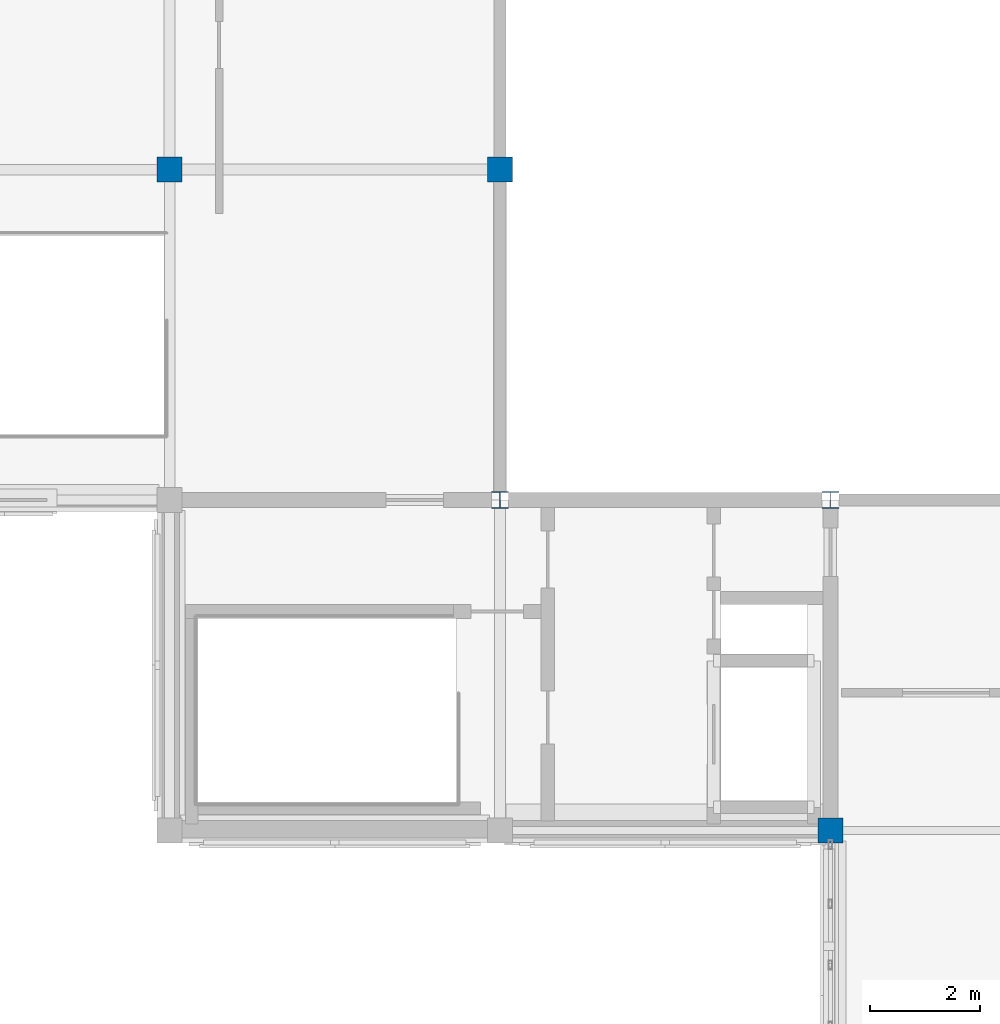
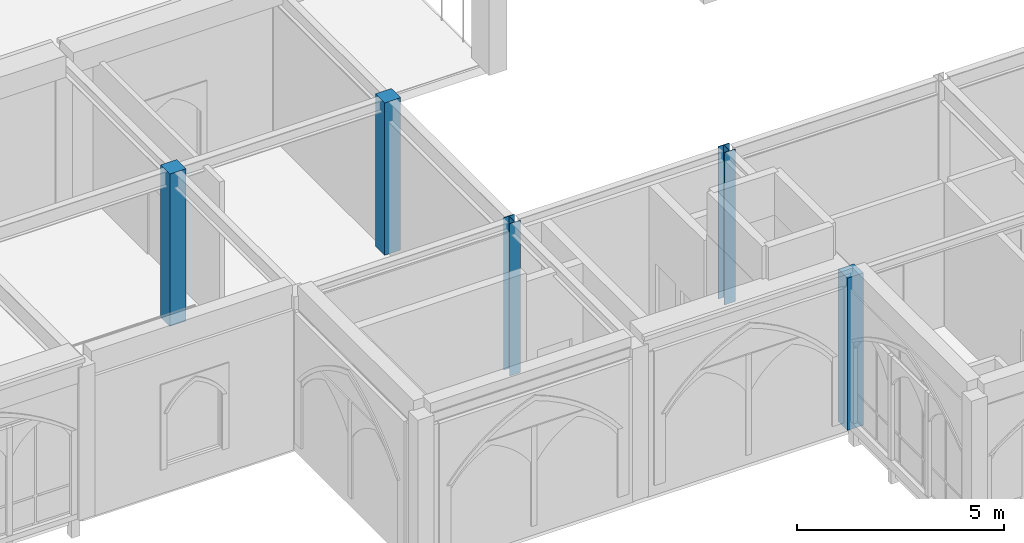
# One storey, part 2 of 59: 5 columns.
"""IFC4 building model written with IfcOpenShell, lengths in metres."""

from ifc_helpers import new_model, si_unit, direction, frame, origin, origin_2d, place, context, subcontext, project, spatial, rectangle, i_section, extrude, material, material_profile, profile_set, type_object, element, save


model = new_model("IFC4")

# Units and contexts
model_context = context("Model", 3, precision=1e-05, world=origin(), true_north=direction((0.0, 1.0)))
body_context = subcontext(model_context, "Body", "Model", "MODEL_VIEW")
ifc_project = project(units=[si_unit("LENGTHUNIT", "METRE"), si_unit("AREAUNIT", "SQUARE_METRE"), si_unit("VOLUMEUNIT", "CUBIC_METRE"), si_unit("PLANEANGLEUNIT", "RADIAN"), si_unit("MASSUNIT", "GRAM", prefix="KILO")], contexts=[model_context])

# Site, building, storey
site_placement = place(None, origin())
site = spatial("IfcSite", under=ifc_project, at=site_placement, CompositionType="ELEMENT")
building_placement = place(site_placement, origin())
building = spatial("IfcBuilding", under=site, at=building_placement, Name="Cumevento Cable Car Station", CompositionType="ELEMENT")
storey_placement = place(building_placement, frame((0.0, 0.0, 18.0)))
storey = spatial("IfcBuildingStorey", under=building, at=storey_placement, Name="L05", CompositionType="ELEMENT", Elevation=18.0)

# Columns
ifc_material_1 = material(Name="Concrete C40/50", Category="concrete")
ifc_material_profile_1 = material_profile(ifc_material_1, rectangle(XDim=0.449951171875, YDim=0.449951171875, at=origin_2d()), Name="RC450x450")
ifc_profile_set_1 = profile_set([ifc_material_profile_1], Name="Concrete C40/50")
column_type_1 = type_object("IfcColumnType", Name="Column C-RC450 RC450x450", PredefinedType="COLUMN", material=ifc_profile_set_1)
for number, where, z_axis, x_axis, name in (
    (1, (58.0, 51.0, 0.0), (0.0, 0.0, 1.0), (1.0, 0.0, 0.0), "Column C-RC450 L05 (58.0,51.0)"),
    (2, (64.0, 51.0, 0.0), (0.0, 0.0, 1.0), (1.0, 0.0, 0.0), "Column C-RC450 L05 (64.0,51.0)"),
    (3, (70.0, 39.0, 0.0), (0.0, 0.0, 1.0), (1.0, 0.0, 0.0), "Column C-RC450 L05 (70.0,39.0)"),
):
    element("IfcColumn", number, at=place(storey_placement, frame(where, z_axis=z_axis, x_axis=x_axis)), inside=storey, type_object=column_type_1, Name=name, PredefinedType="COLUMN", context=body_context, shape_type="SweptSolid", body=[
        extrude(rectangle(XDim=0.449951171875, YDim=0.449951171875, at=origin_2d()), origin(), (0.0, 0.0, 1.0), 4.5),
    ])
ifc_material_2 = material(Name="Steel ASTM A572 Grade 50", Category="steel")
ifc_material_profile_2 = material_profile(ifc_material_2, i_section(OverallWidth=0.304931640625, OverallDepth=0.30810546875, WebThickness=0.010009765625, FlangeThickness=0.015380859375, at=origin_2d()), Name="W310x97.0")
ifc_profile_set_2 = profile_set([ifc_material_profile_2], Name="Steel ASTM A572 Grade 50")
column_type_2 = type_object("IfcColumnType", Name="Column C-ST310 W310x97.0", PredefinedType="COLUMN", material=ifc_profile_set_2)
for number, where, z_axis, x_axis, name in (
    (4, (64.0, 45.0, 0.0), (0.0, 0.0, 1.0), (1.0, 0.0, 0.0), "Column C-ST310 L05 (64.0,45.0)"),
    (5, (70.0, 45.0, 0.0), (0.0, 0.0, 1.0), (1.0, 0.0, 0.0), "Column C-ST310 L05 (70.0,45.0)"),
):
    element("IfcColumn", number, at=place(storey_placement, frame(where, z_axis=z_axis, x_axis=x_axis)), inside=storey, type_object=column_type_2, Name=name, PredefinedType="COLUMN", context=body_context, shape_type="SweptSolid", body=[
        extrude(i_section(OverallWidth=0.304931640625, OverallDepth=0.30810546875, WebThickness=0.010009765625, FlangeThickness=0.015380859375, at=origin_2d()), origin(), (0.0, 0.0, 1.0), 4.5),
    ])

save(model, "model.ifc")
